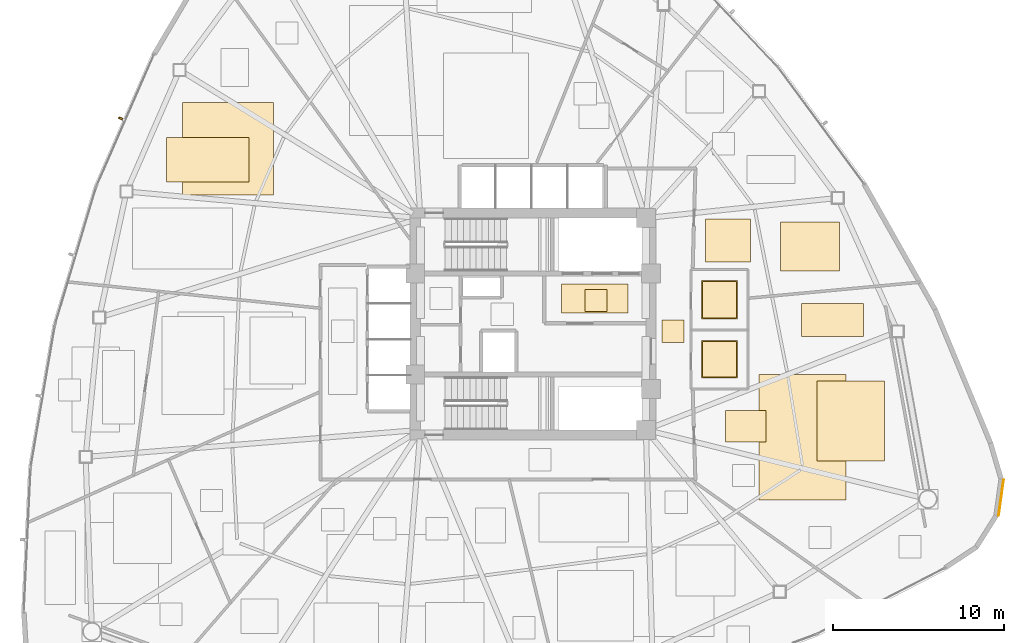
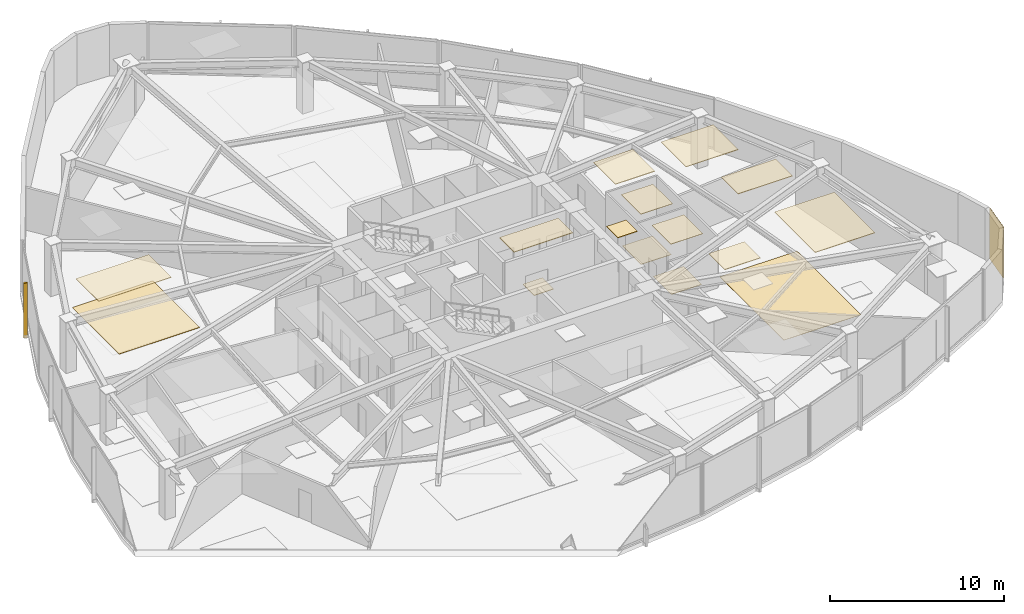
# One storey, part 16 of 17: 16 coverings, 1 shading device.
"""IFC4 building model written with IfcOpenShell, lengths in metres."""

from ifc_helpers import new_model, si_unit, direction, frame, origin, origin_2d, place, context, subcontext, project, spatial, polyline, rectangle, outline, extrude, source, transform, mapped, material, layer, layer_set, type_object, type_shapes, element, save


model = new_model("IFC4")

# Units and contexts
model_context = context("Model", 3, precision=1e-05, world=origin(), true_north=direction((0.0, 1.0)))
body_context = subcontext(model_context, "Body", "Model", "MODEL_VIEW")
ifc_project = project(units=[si_unit("LENGTHUNIT", "METRE"), si_unit("AREAUNIT", "SQUARE_METRE"), si_unit("VOLUMEUNIT", "CUBIC_METRE"), si_unit("PLANEANGLEUNIT", "RADIAN"), si_unit("MASSUNIT", "GRAM", prefix="KILO")], contexts=[model_context])

# Site, building, storey
site_placement = place(None, origin())
site = spatial("IfcSite", under=ifc_project, at=site_placement, CompositionType="ELEMENT")
building_placement = place(site_placement, origin())
building = spatial("IfcBuilding", under=site, at=building_placement, Name="Tavelor Broadcast Tower", CompositionType="ELEMENT")
storey_placement = place(building_placement, frame((0.0, 0.0, 66.60009765625)))
storey = spatial("IfcBuildingStorey", under=building, at=storey_placement, Name="L15", CompositionType="ELEMENT", Elevation=66.60009765625)

# Coverings
ifc_material_1 = material(Name="Copper-Bronze Anodized Aluminium", Category="aluminium")
ifc_layer_1 = layer(ifc_material_1, 0.044921875)
ifc_layer_set_1 = layer_set([ifc_layer_1], Name="Copper-Bronze Anodized Aluminium")
covering_type_1 = type_object("IfcCoveringType", Name="Anodised Bronze Linear Slatted Concourse Ceiling 45 mm", PredefinedType="CEILING", material=ifc_layer_set_1)
covering_1_placement = place(storey_placement, frame((0.0, 0.0, 3.554931640625)))
element("IfcCovering", 1, at=covering_1_placement, inside=storey, type_object=covering_type_1, Name="L15 Suspended Acoustic Ceiling 0588", PredefinedType="CEILING", context=body_context, shape_type="SweptSolid", body=[
    extrude(outline(polyline([(51.659912109375, 45.654296875), (55.55712890625, 45.654296875), (55.55712890625, 47.331787109375), (51.659912109375, 47.331787109375), (51.659912109375, 45.654296875)])), origin(), (0.0, 0.0, 1.0), 0.044921875),
])
ifc_layer_2 = layer(ifc_material_1, 0.050048828125)
ifc_layer_set_2 = layer_set([ifc_layer_2], Name="Copper-Bronze Anodized Aluminium")
covering_type_2 = type_object("IfcCoveringType", Name="Champagne-Bronze Corner Pier Metal Cladding 50 mm", PredefinedType="CLADDING", material=ifc_layer_set_2)
covering_2_placement = place(storey_placement, frame((77.3974609375, 34.81640625, 0.019775390625), z_axis=(0.0, 0.0, 1.0), x_axis=(0.138308876163, 0.990389143102, 0.0)))
element("IfcCovering", 2, at=covering_2_placement, inside=storey, type_object=covering_type_2, Name="L15 Champagne-Bronze Corner Cladding 23", PredefinedType="CLADDING", context=body_context, shape_type="SweptSolid", body=[
    extrude(rectangle(XDim=2.128662109375, YDim=0.050048828125, at=origin_2d()), origin(), (0.0, 0.0, 1.0), 3.56005859375),
])
ifc_material_2 = material(Name="Architectural Anodized Aluminium", Category="aluminium")
ifc_layer_3 = layer(ifc_material_2, 0.034912109375)
ifc_layer_set_3 = layer_set([ifc_layer_3], Name="Architectural Anodized Aluminium")
covering_type_3 = type_object("IfcCoveringType", Name="Demountable Metal Tile Corridor Ceiling 35 mm", PredefinedType="CEILING", material=ifc_layer_set_3)
covering_3_placement = place(storey_placement, frame((0.0, 0.0, 3.56494140625)))
element("IfcCovering", 3, at=covering_3_placement, inside=storey, type_object=covering_type_3, Name="L15 Suspended Acoustic Ceiling 0591", PredefinedType="CEILING", context=body_context, shape_type="SweptSolid", body=[
    extrude(outline(polyline([(57.5400390625, 43.925048828125), (58.840087890625, 43.925048828125), (58.840087890625, 45.22509765625), (57.5400390625, 45.22509765625), (57.5400390625, 43.925048828125)])), origin(), (0.0, 0.0, 1.0), 0.034912109375),
])
ifc_material_3 = material(Name="Acoustic Nylon Carpet Tile")
ifc_layer_4 = layer(ifc_material_3, 0.02001953125)
ifc_layer_set_4 = layer_set([ifc_layer_4], Name="Acoustic Nylon Carpet Tile")
covering_type_4 = type_object("IfcCoveringType", Name="Heavy-Duty Acoustic Broadcast Carpet Tile 20 mm", PredefinedType="FLOORING", material=ifc_layer_set_4)
covering_4_placement = place(storey_placement, origin())
element("IfcCovering", 4, at=covering_4_placement, inside=storey, type_object=covering_type_4, Name="L15 Broadcast Floor Finish 0212", PredefinedType="FLOORING", context=body_context, shape_type="SweptSolid", body=[
    extrude(outline(polyline([(29.46923828125, 52.567626953125), (34.80908203125, 52.567626953125), (34.80908203125, 57.960693359375), (29.46923828125, 57.960693359375), (29.46923828125, 52.567626953125)])), origin(), (0.0, 0.0, 1.0), 0.02001953125),
])
covering_5_placement = place(storey_placement, origin())
element("IfcCovering", 5, at=covering_5_placement, inside=storey, type_object=covering_type_4, Name="L15 Broadcast Floor Finish 0215", PredefinedType="FLOORING", context=body_context, shape_type="SweptSolid", body=[
    extrude(outline(polyline([(63.2119140625, 34.68310546875), (68.332275390625, 34.68310546875), (68.332275390625, 42.036865234375), (63.2119140625, 42.036865234375), (63.2119140625, 34.68310546875)])), origin(), (0.0, 0.0, 1.0), 0.02001953125),
])
ifc_material_4 = material(Name="Honed Natural Limestone Tile", Category="masonry")
ifc_layer_5 = layer(ifc_material_4, 0.030029296875)
ifc_layer_set_5 = layer_set([ifc_layer_5], Name="Honed Natural Limestone Tile")
covering_type_5 = type_object("IfcCoveringType", Name="Honed Jerusalem Limestone Concourse Flooring 30 mm", PredefinedType="FLOORING", material=ifc_layer_set_5)
covering_6_placement = place(storey_placement, origin())
element("IfcCovering", 6, at=covering_6_placement, inside=storey, type_object=covering_type_5, Name="L15 Broadcast Floor Finish 0205", PredefinedType="FLOORING", context=body_context, shape_type="SweptSolid", body=[
    extrude(outline(polyline([(53.030029296875, 45.728515625), (54.330078125, 45.728515625), (54.330078125, 47.028564453125), (53.030029296875, 47.028564453125), (53.030029296875, 45.728515625)])), origin(), (0.0, 0.0, 1.0), 0.02978515625),
])
ifc_layer_6 = layer(ifc_material_2, 0.030029296875)
ifc_layer_set_6 = layer_set([ifc_layer_6], Name="Architectural Anodized Aluminium")
covering_type_6 = type_object("IfcCoveringType", Name="Moisture-Resistant Washroom Ceiling 30 mm", PredefinedType="CEILING", material=ifc_layer_set_6)
covering_7_placement = place(storey_placement, frame((0.0, 0.0, 3.56982421875)))
element("IfcCovering", 7, at=covering_7_placement, inside=storey, type_object=covering_type_6, Name="L15 Suspended Acoustic Ceiling 0594", PredefinedType="CEILING", context=body_context, shape_type="SweptSolid", body=[
    extrude(outline(polyline([(59.85302734375, 41.828369140625), (61.967041015625, 41.828369140625), (61.967041015625, 44.021484375), (59.85302734375, 44.021484375), (59.85302734375, 41.828369140625)])), origin(), (0.0, 0.0, 1.0), 0.030029296875),
])
covering_8_placement = place(storey_placement, frame((0.0, 0.0, 3.56982421875)))
element("IfcCovering", 8, at=covering_8_placement, inside=storey, type_object=covering_type_6, Name="L15 Suspended Acoustic Ceiling 0595", PredefinedType="CEILING", context=body_context, shape_type="SweptSolid", body=[
    extrude(outline(polyline([(59.85302734375, 45.29248046875), (61.967041015625, 45.29248046875), (61.967041015625, 47.5576171875), (59.85302734375, 47.5576171875), (59.85302734375, 45.29248046875)])), origin(), (0.0, 0.0, 1.0), 0.030029296875),
])
ifc_material_5 = material(Name="Slip-Resistant Porcelain Tile")
ifc_layer_7 = layer(ifc_material_5, 0.02490234375)
ifc_layer_set_7 = layer_set([ifc_layer_7], Name="Slip-Resistant Porcelain Tile")
covering_type_7 = type_object("IfcCoveringType", Name="Slip-Resistant Porcelain Wet-Area Floor Tile 25 mm", PredefinedType="FLOORING", material=ifc_layer_set_7)
covering_9_placement = place(storey_placement, origin())
element("IfcCovering", 9, at=covering_9_placement, inside=storey, type_object=covering_type_7, Name="L15 Broadcast Floor Finish 0207", PredefinedType="FLOORING", context=body_context, shape_type="SweptSolid", body=[
    extrude(outline(polyline([(59.91064453125, 41.885986328125), (61.909423828125, 41.885986328125), (61.909423828125, 43.964111328125), (59.91064453125, 43.964111328125), (59.91064453125, 41.885986328125)])), origin(), (0.0, 0.0, 1.0), 0.02490234375),
])
covering_10_placement = place(storey_placement, origin())
element("IfcCovering", 10, at=covering_10_placement, inside=storey, type_object=covering_type_7, Name="L15 Broadcast Floor Finish 0208", PredefinedType="FLOORING", context=body_context, shape_type="SweptSolid", body=[
    extrude(outline(polyline([(59.91064453125, 45.35009765625), (61.909423828125, 45.35009765625), (61.909423828125, 47.5), (59.91064453125, 47.5), (59.91064453125, 45.35009765625)])), origin(), (0.0, 0.0, 1.0), 0.02490234375),
])
ifc_material_6 = material(Name="Acoustic Mineral Fibre Tile")
ifc_layer_8 = layer(ifc_material_6, 0.0400390625)
ifc_layer_set_8 = layer_set([ifc_layer_8], Name="Acoustic Mineral Fibre Tile")
covering_type_8 = type_object("IfcCoveringType", Name="Suspended Acoustic Mineral-Fibre Office Ceiling 40 mm", PredefinedType="CEILING", material=ifc_layer_set_8)
covering_11_placement = place(storey_placement, frame((0.0, 0.0, 3.559814453125)))
element("IfcCovering", 11, at=covering_11_placement, inside=storey, type_object=covering_type_8, Name="L15 Suspended Acoustic Ceiling 0611", PredefinedType="CEILING", context=body_context, shape_type="SweptSolid", body=[
    extrude(outline(polyline([(28.539306640625, 53.31689453125), (33.35888671875, 53.31689453125), (33.35888671875, 55.922607421875), (28.539306640625, 55.922607421875), (28.539306640625, 53.31689453125)])), origin(), (0.0, 0.0, 1.0), 0.0400390625),
])
covering_12_placement = place(storey_placement, frame((0.0, 0.0, 3.559814453125)))
element("IfcCovering", 12, at=covering_12_placement, inside=storey, type_object=covering_type_8, Name="L15 Suspended Acoustic Ceiling 0618", PredefinedType="CEILING", context=body_context, shape_type="SweptSolid", body=[
    extrude(outline(polyline([(64.484375, 48.11279296875), (67.945068359375, 48.11279296875), (67.945068359375, 50.985107421875), (64.484375, 50.985107421875), (64.484375, 48.11279296875)])), origin(), (0.0, 0.0, 1.0), 0.0400390625),
])
covering_13_placement = place(storey_placement, frame((0.0, 0.0, 3.559814453125)))
element("IfcCovering", 13, at=covering_13_placement, inside=storey, type_object=covering_type_8, Name="L15 Suspended Acoustic Ceiling 0619", PredefinedType="CEILING", context=body_context, shape_type="SweptSolid", body=[
    extrude(outline(polyline([(60.101318359375, 48.6298828125), (62.71533203125, 48.6298828125), (62.71533203125, 51.154052734375), (60.101318359375, 51.154052734375), (60.101318359375, 48.6298828125)])), origin(), (0.0, 0.0, 1.0), 0.0400390625),
])
covering_14_placement = place(storey_placement, frame((0.0, 0.0, 3.559814453125)))
element("IfcCovering", 14, at=covering_14_placement, inside=storey, type_object=covering_type_8, Name="L15 Suspended Acoustic Ceiling 0621", PredefinedType="CEILING", context=body_context, shape_type="SweptSolid", body=[
    extrude(outline(polyline([(61.26513671875, 38.083740234375), (63.6337890625, 38.083740234375), (63.6337890625, 39.936279296875), (61.26513671875, 39.936279296875), (61.26513671875, 38.083740234375)])), origin(), (0.0, 0.0, 1.0), 0.0400390625),
])
covering_15_placement = place(storey_placement, frame((0.0, 0.0, 3.559814453125)))
element("IfcCovering", 15, at=covering_15_placement, inside=storey, type_object=covering_type_8, Name="L15 Suspended Acoustic Ceiling 0622", PredefinedType="CEILING", context=body_context, shape_type="SweptSolid", body=[
    extrude(outline(polyline([(65.709228515625, 44.26953125), (69.330810546875, 44.26953125), (69.330810546875, 46.205078125), (65.709228515625, 46.205078125), (65.709228515625, 44.26953125)])), origin(), (0.0, 0.0, 1.0), 0.0400390625),
])
covering_16_placement = place(storey_placement, frame((0.0, 0.0, 3.559814453125)))
element("IfcCovering", 16, at=covering_16_placement, inside=storey, type_object=covering_type_8, Name="L15 Suspended Acoustic Ceiling 0623", PredefinedType="CEILING", context=body_context, shape_type="SweptSolid", body=[
    extrude(outline(polyline([(66.62158203125, 36.977294921875), (70.56982421875, 36.977294921875), (70.56982421875, 41.652587890625), (66.62158203125, 41.652587890625), (66.62158203125, 36.977294921875)])), origin(), (0.0, 0.0, 1.0), 0.0400390625),
])

# Shading device
ifc_material_7 = material(Name="Kiln-Fired Glazed Terracotta", Category="masonry")
shading_device_type = type_object("IfcShadingDeviceType", Name="Extruded Terracotta Baguette Sun-Screen 110x240", PredefinedType="JALOUSIE", material=ifc_material_7)
shared_shape = source(origin(), body_context, "Body", "SweptSolid", [
    extrude(rectangle(XDim=0.110107421875, YDim=0.239990234375, at=origin_2d()), origin(), (0.0, 0.0, 1.0), 3.840087890625),
])
type_shapes(shading_device_type, [shared_shape])
shading_device_placement = place(storey_placement, frame((25.8369140625, 57.04345703125, -0.26025390625), z_axis=(0.0, 0.0, 1.0), x_axis=(-0.399869171297, -0.916572226203, 0.0)))
element("IfcShadingDevice", 17, at=shading_device_placement, inside=storey, type_object=shading_device_type, Name="L15 Terracotta Baguette Fin 133", PredefinedType="JALOUSIE", context=body_context, shape_type="MappedRepresentation", body=[
    mapped(shared_shape, transform((0.0, 0.0, 0.0), scale=1.0)),
])

save(model, "model.ifc")
